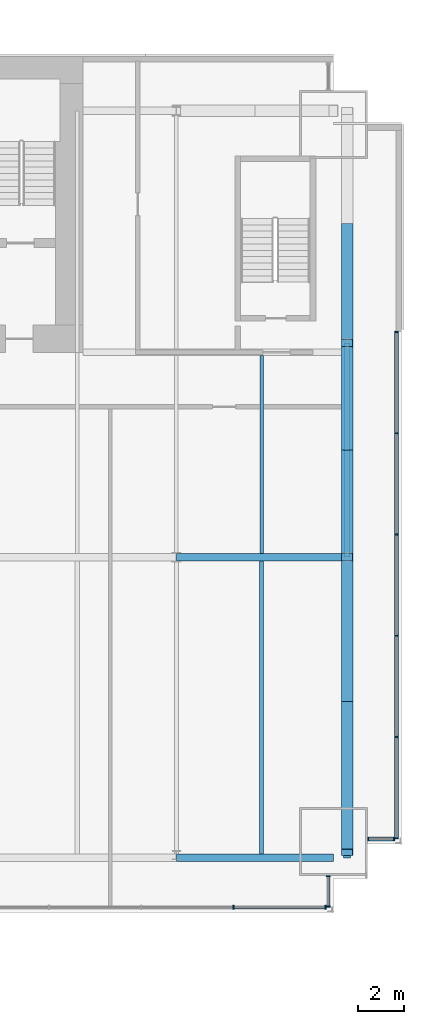
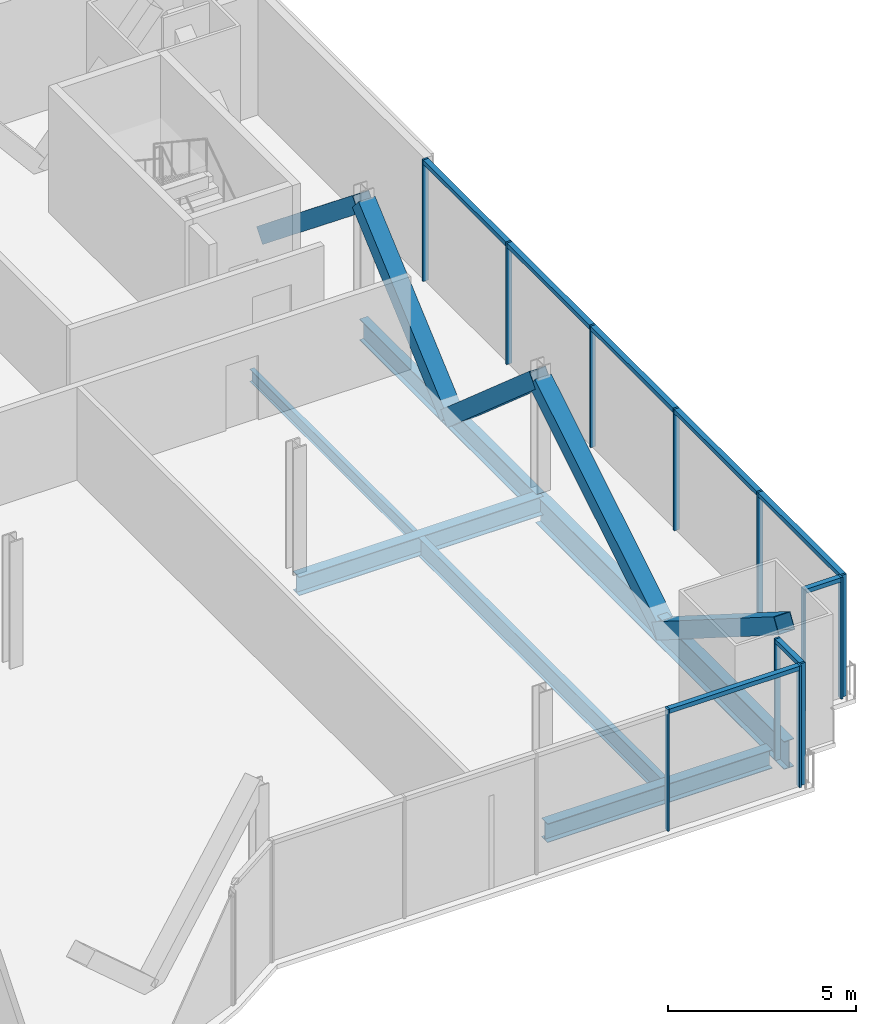
# One storey, part 12 of 21: 25 members, 6 beams, 4 elements without a shape of their own.
"""IFC4 building model written with IfcOpenShell, lengths in metres."""

import ifcopenshell
import ifcopenshell.guid

model = None  # the IFC model being written
_history = None  # IfcOwnerHistory: only IFC2X3 demands one
_inside = {}  # id of a spatial element -> (the spatial element, [elements in it])
_under = {}  # id of a project, library or spatial element -> (it, [spatial elements below it])
_declared = {}  # id of a project -> (the project, [libraries it declares])
_typed = {}  # id of a type object -> (the type object, [elements of that type])
_made_of = {}  # id of a material, layer set ... -> (it, [elements and type objects made of it])


def new_model(schema):
    """Start an empty IFC model of exactly this schema.

    Asked for "IFC4X3", IfcOpenShell would pick the latest addendum, in which some entities
    have other attributes; the version numbers below select the first issue.
    IFC2X3 requires an IfcOwnerHistory on every rooted entity: one is made here for all.
    """
    global model, _history
    if schema == "IFC4X3":
        model = ifcopenshell.file(schema_version=(4, 3, 0, 0))
    else:
        model = ifcopenshell.file(schema=schema)
    _inside.clear()
    _under.clear()
    _declared.clear()
    _typed.clear()
    _made_of.clear()
    _history = None
    if model.schema == "IFC2X3":
        org = make("IfcOrganization", Name="unknown")
        user = make(
            "IfcPersonAndOrganization",
            ThePerson=make("IfcPerson", FamilyName="unknown"),
            TheOrganization=org,
        )
        app = make(
            "IfcApplication",
            ApplicationDeveloper=org,
            Version="unknown",
            ApplicationFullName="unknown",
            ApplicationIdentifier="unknown",
        )
        _history = make(
            "IfcOwnerHistory",
            OwningUser=user,
            OwningApplication=app,
            ChangeAction="ADDED",
            CreationDate=0,
        )
    return model


def make(cls, **values):
    """One entity of the class cls with the attributes given. An attribute that is None is left unset."""
    return model.create_entity(
        cls, **{name: value for name, value in values.items() if value is not None}
    )


def rooted(cls, **values):
    """An entity with a GlobalId (a new one), such as an element, a storey or a relation."""
    return make(cls, GlobalId=ifcopenshell.guid.new(), OwnerHistory=_history, **values)


def si_unit(unit_type, name, prefix=None):
    """IfcSIUnit, for example si_unit("LENGTHUNIT", "METRE", prefix="MILLI")."""
    return make("IfcSIUnit", UnitType=unit_type, Prefix=prefix, Name=name)


def assignment(units):
    """IfcUnitAssignment: the units of a project."""
    return None if units is None else make("IfcUnitAssignment", Units=units)


def point(xyz):
    """IfcCartesianPoint."""
    return None if xyz is None else make("IfcCartesianPoint", Coordinates=xyz)


def direction(xyz):
    """IfcDirection."""
    return None if xyz is None else make("IfcDirection", DirectionRatios=xyz)


def frame(location, z_axis=None, x_axis=None):
    """IfcAxis2Placement3D, a coordinate frame: its origin and axes. An axis left out is left unset."""
    return make(
        "IfcAxis2Placement3D",
        Location=point(location),
        Axis=direction(z_axis),
        RefDirection=direction(x_axis),
    )


def frame_2d(location, x_axis=None):
    """IfcAxis2Placement2D, a coordinate frame in the plane: its origin and x axis."""
    return make(
        "IfcAxis2Placement2D", Location=point(location), RefDirection=direction(x_axis)
    )


def origin():
    """The frame at (0, 0, 0) with its axes left unset."""
    return frame((0.0, 0.0, 0.0))


def origin_2d():
    """The frame at (0, 0) in the plane with its x axis left unset."""
    return frame_2d((0.0, 0.0))


def place(relative_to, where):
    """IfcLocalPlacement: puts the frame where relative to a parent placement (None: the world)."""
    return make(
        "IfcLocalPlacement", PlacementRelTo=relative_to, RelativePlacement=where
    )


def context(
    kind, dimensions, precision=None, world=None, true_north=None, identifier=None
):
    """IfcGeometricRepresentationContext, for example the 3D "Model" context."""
    return make(
        "IfcGeometricRepresentationContext",
        ContextIdentifier=identifier,
        ContextType=kind,
        CoordinateSpaceDimension=dimensions,
        Precision=precision,
        WorldCoordinateSystem=world,
        TrueNorth=true_north,
    )


def subcontext(parent, identifier, kind, view, scale=None):
    """IfcGeometricRepresentationSubContext, for example "Body" below "Model"."""
    return make(
        "IfcGeometricRepresentationSubContext",
        ContextIdentifier=identifier,
        ContextType=kind,
        ParentContext=parent,
        TargetScale=scale,
        TargetView=view,
    )


def project(units=None, contexts=None):
    """IfcProject with its units and contexts."""
    return rooted(
        "IfcProject",
        Name="project",
        RepresentationContexts=contexts,
        UnitsInContext=assignment(units),
    )


def spatial(cls, under=None, at=None, **own):
    """A site, building, storey or space (cls), placed at a placement, below another one or the project."""
    s = rooted(cls, ObjectPlacement=at, **own)
    if under is not None:
        _under.setdefault(under.id(), (under, []))[1].append(s)
    return s


def profile(cls, at=None, kind="AREA", **sizes):
    """A parametric profile (cls). Its sizes go by their IFC names, for example OverallWidth=200.0."""
    return make(cls, ProfileType=kind, Position=at, **sizes)


def rectangle(**sizes):
    """IfcRectangleProfileDef."""
    return profile("IfcRectangleProfileDef", **sizes)


def hollow_rectangle(**sizes):
    """IfcRectangleHollowProfileDef."""
    return profile("IfcRectangleHollowProfileDef", **sizes)


def i_section(**sizes):
    """IfcIShapeProfileDef."""
    return profile("IfcIShapeProfileDef", **sizes)


def extrude(swept, where, along, depth):
    """IfcExtrudedAreaSolid: the profile swept, set in the frame where, extruded along a direction by depth."""
    return make(
        "IfcExtrudedAreaSolid",
        SweptArea=swept,
        Position=where,
        ExtrudedDirection=direction(along),
        Depth=depth,
    )


def shape(context_of_items, identifier, shape_type, items):
    """IfcShapeRepresentation: the items that make up one representation, for example the "Body"."""
    return make(
        "IfcShapeRepresentation",
        ContextOfItems=context_of_items,
        RepresentationIdentifier=identifier,
        RepresentationType=shape_type,
        Items=items,
    )


def material(Name=None, Category=None):
    """IfcMaterial."""
    return make("IfcMaterial", Name=Name, Category=Category)


def material_profile(
    of_material, cross_section, Name=None, Category=None, Priority=None
):
    """IfcMaterialProfile: a cross section and its material."""
    return make(
        "IfcMaterialProfile",
        Name=Name,
        Material=of_material,
        Profile=cross_section,
        Priority=Priority,
        Category=Category,
    )


def profile_set(profiles, Name=None, composite=None):
    """IfcMaterialProfileSet."""
    return make(
        "IfcMaterialProfileSet",
        Name=Name,
        MaterialProfiles=profiles,
        CompositeProfile=composite,
    )


def made_of(thing, what):
    """Note that an element or type object is made of a material, layer set ...; save() writes the relation."""
    if what is not None:
        _made_of.setdefault(what.id(), (what, []))[1].append(thing)
    return thing


def type_object(cls, material=None, **own):
    """A type object (cls), such as IfcWallType, which elements share."""
    return made_of(rooted(cls, **own), material)


def element(
    cls,
    number,
    at=None,
    inside=None,
    cuts=None,
    type_object=None,
    material=None,
    context=None,
    identifier="Body",
    shape_type=None,
    held_by="IfcProductDefinitionShape",
    body=None,
    shapes=None,
    **own,
):
    """One element of the class cls, such as IfcWall. Its Tag is "e" and its number.

    at: its placement. inside: the storey or other place that contains it. cuts: it is an
    opening in that element (IfcRelVoidsElement). A single representation is given by context,
    identifier, shape_type and body (its items); several are given by shapes. held_by: the class
    of the entity that holds the representations. save() writes the other relations.
    """
    e = rooted(cls, Tag="e%d" % number, ObjectPlacement=at, **own)
    if body is not None:
        shapes = [shape(context, identifier, shape_type, body)]
    if shapes is not None:
        e.Representation = make(held_by, Representations=shapes)
    if inside is not None:
        _inside.setdefault(inside.id(), (inside, []))[1].append(e)
    if cuts is not None:
        rooted(
            "IfcRelVoidsElement", RelatingBuildingElement=cuts, RelatedOpeningElement=e
        )
    if type_object is not None:
        _typed.setdefault(type_object.id(), (type_object, []))[1].append(e)
    return made_of(e, material)


def aggregate(whole, parts):
    """IfcRelAggregates: a whole, such as a stair, and the parts it consists of."""
    return rooted("IfcRelAggregates", RelatingObject=whole, RelatedObjects=parts)


def save(model, path):
    """Write the relations noted so far, then the file.

    IfcRelAggregates (storeys below a building ...), IfcRelContainedInSpatialStructure (elements
    in a storey), IfcRelDefinesByType, IfcRelAssociatesMaterial and IfcRelDeclares: one each for
    every whole, place, type object, material and project.
    """
    for whole, parts in _under.values():
        aggregate(whole, parts)
    for where, things in _inside.values():
        rooted(
            "IfcRelContainedInSpatialStructure",
            RelatedElements=things,
            RelatingStructure=where,
        )
    for kind, things in _typed.values():
        rooted("IfcRelDefinesByType", RelatedObjects=things, RelatingType=kind)
    for what, things in _made_of.values():
        rooted("IfcRelAssociatesMaterial", RelatedObjects=things, RelatingMaterial=what)
    for by, libraries in _declared.values():
        rooted("IfcRelDeclares", RelatingContext=by, RelatedDefinitions=libraries)
    model.write(path)


model = new_model("IFC4")

# Units and contexts
model_context = context("Model", 3, precision=1e-05, world=origin(), true_north=direction((0.0, 1.0)))
body_context = subcontext(model_context, "Body", "Model", "MODEL_VIEW")
ifc_project = project(units=[si_unit("LENGTHUNIT", "METRE"), si_unit("AREAUNIT", "SQUARE_METRE"), si_unit("VOLUMEUNIT", "CUBIC_METRE"), si_unit("PLANEANGLEUNIT", "RADIAN"), si_unit("MASSUNIT", "GRAM", prefix="KILO")], contexts=[model_context])

# Site, building, storey
site_placement = place(None, origin())
site = spatial("IfcSite", under=ifc_project, at=site_placement, CompositionType="ELEMENT")
building_placement = place(site_placement, origin())
building = spatial("IfcBuilding", under=site, at=building_placement, Name="Bicima Exchange Tower", CompositionType="ELEMENT")
storey_placement = place(building_placement, frame((0.0, 0.0, 114.5)))
storey = spatial("IfcBuildingStorey", under=building, at=storey_placement, Name="L24", CompositionType="ELEMENT", Elevation=114.5)

# Curtain wall, members
ifc_material_1 = material(Name="Anodised bronze aluminium", Category="aluminium")
curtain_wall_type_1 = type_object("IfcCurtainWallType", Name="End face glass wall", PredefinedType="NOTDEFINED", material=ifc_material_1)
curtain_wall_1_placement = place(storey_placement, origin())
curtain_wall_1 = element("IfcCurtainWall", 1, at=curtain_wall_1_placement, inside=storey, type_object=curtain_wall_type_1, Name="End face glass wall L24 run 19", PredefinedType="NOTDEFINED")
ifc_material_profile_1 = material_profile(ifc_material_1, rectangle(XDim=0.159912109375, YDim=0.06005859375, at=origin_2d()))
ifc_profile_set_1 = profile_set([ifc_material_profile_1], Name="Anodised bronze aluminium")
member_type_1 = type_object("IfcMemberType", Name="End face glass wall mullion 60 x 160", PredefinedType="MULLION", material=ifc_profile_set_1)
member_1_placement = place(storey_placement, frame((35.77001953125, -34.347900390625, 0.0), z_axis=(0.0, 0.0, 1.0), x_axis=(-1.0, 0.0, 0.0)))
member_1 = element("IfcMember", 2, at=member_1_placement, type_object=member_type_1, Name="End face glass wall mullion 1", PredefinedType="MULLION", context=body_context, shape_type="SweptSolid", body=[
    extrude(rectangle(XDim=0.159912109375, YDim=0.06005859375, at=origin_2d()), origin(), (0.0, 0.0, 1.0), 3.949951171875),
])
member_2_placement = place(storey_placement, frame((35.77001953125, -29.900390625, 0.0), z_axis=(0.0, 0.0, 1.0), x_axis=(-1.0, 0.0, 0.0)))
member_2 = element("IfcMember", 3, at=member_2_placement, type_object=member_type_1, Name="End face glass wall mullion 2", PredefinedType="MULLION", context=body_context, shape_type="SweptSolid", body=[
    extrude(rectangle(XDim=0.159912109375, YDim=0.06005859375, at=origin_2d()), origin(), (0.0, 0.0, 1.0), 3.949951171875),
])
member_3_placement = place(storey_placement, frame((35.77001953125, -25.452880859375, 0.0), z_axis=(0.0, 0.0, 1.0), x_axis=(-1.0, 0.0, 0.0)))
member_3 = element("IfcMember", 4, at=member_3_placement, type_object=member_type_1, Name="End face glass wall mullion 3", PredefinedType="MULLION", context=body_context, shape_type="SweptSolid", body=[
    extrude(rectangle(XDim=0.159912109375, YDim=0.06005859375, at=origin_2d()), origin(), (0.0, 0.0, 1.0), 3.949951171875),
])
member_4_placement = place(storey_placement, frame((35.77001953125, -21.005126953125, 0.0), z_axis=(0.0, 0.0, 1.0), x_axis=(-1.0, 0.0, 0.0)))
member_4 = element("IfcMember", 5, at=member_4_placement, type_object=member_type_1, Name="End face glass wall mullion 4", PredefinedType="MULLION", context=body_context, shape_type="SweptSolid", body=[
    extrude(rectangle(XDim=0.159912109375, YDim=0.06005859375, at=origin_2d()), origin(), (0.0, 0.0, 1.0), 3.949951171875),
])
member_5_placement = place(storey_placement, frame((35.77001953125, -16.5576171875, 0.0), z_axis=(0.0, 0.0, 1.0), x_axis=(-1.0, 0.0, 0.0)))
member_5 = element("IfcMember", 6, at=member_5_placement, type_object=member_type_1, Name="End face glass wall mullion 5", PredefinedType="MULLION", context=body_context, shape_type="SweptSolid", body=[
    extrude(rectangle(XDim=0.159912109375, YDim=0.06005859375, at=origin_2d()), origin(), (0.0, 0.0, 1.0), 3.949951171875),
])
member_6_placement = place(storey_placement, frame((35.77001953125, -12.110107421875, 0.0), z_axis=(0.0, 0.0, 1.0), x_axis=(-1.0, 0.0, 0.0)))
member_6 = element("IfcMember", 7, at=member_6_placement, type_object=member_type_1, Name="End face glass wall mullion 6", PredefinedType="MULLION", context=body_context, shape_type="SweptSolid", body=[
    extrude(rectangle(XDim=0.159912109375, YDim=0.06005859375, at=origin_2d()), origin(), (0.0, 0.0, 1.0), 3.949951171875),
])
ifc_material_profile_2 = material_profile(ifc_material_1, rectangle(XDim=0.159912109375, YDim=0.139892578125, at=origin_2d()))
ifc_profile_set_2 = profile_set([ifc_material_profile_2], Name="Anodised bronze aluminium")
member_type_2 = type_object("IfcMemberType", Name="End face glass wall transom 140 x 160", PredefinedType="USERDEFINED", material=ifc_profile_set_2)
member_7_placement = place(storey_placement, frame((35.77001953125, -34.318115234375, 3.8798828125), z_axis=(0.0, 1.0, 0.0), x_axis=(-1.0, 0.0, 0.0)))
member_7 = element("IfcMember", 8, at=member_7_placement, type_object=member_type_2, Name="End face glass wall transom 1.1", ObjectType="TRANSOM", PredefinedType="USERDEFINED", context=body_context, shape_type="SweptSolid", body=[
    extrude(rectangle(XDim=0.159912109375, YDim=0.139892578125, at=origin_2d()), origin(), (0.0, 0.0, 1.0), 4.3876953125),
])
member_8_placement = place(storey_placement, frame((35.77001953125, -29.870361328125, 3.8798828125), z_axis=(0.0, 1.0, 0.0), x_axis=(-1.0, 0.0, 0.0)))
member_8 = element("IfcMember", 9, at=member_8_placement, type_object=member_type_2, Name="End face glass wall transom 2.1", ObjectType="TRANSOM", PredefinedType="USERDEFINED", context=body_context, shape_type="SweptSolid", body=[
    extrude(rectangle(XDim=0.159912109375, YDim=0.139892578125, at=origin_2d()), origin(), (0.0, 0.0, 1.0), 4.387451171875),
])
member_9_placement = place(storey_placement, frame((35.77001953125, -25.4228515625, 3.8798828125), z_axis=(0.0, 1.0, 0.0), x_axis=(-1.0, 0.0, 0.0)))
member_9 = element("IfcMember", 10, at=member_9_placement, type_object=member_type_2, Name="End face glass wall transom 3.1", ObjectType="TRANSOM", PredefinedType="USERDEFINED", context=body_context, shape_type="SweptSolid", body=[
    extrude(rectangle(XDim=0.159912109375, YDim=0.139892578125, at=origin_2d()), origin(), (0.0, 0.0, 1.0), 4.3876953125),
])
member_10_placement = place(storey_placement, frame((35.77001953125, -20.97509765625, 3.8798828125), z_axis=(0.0, 1.0, 0.0), x_axis=(-1.0, 0.0, 0.0)))
member_10 = element("IfcMember", 11, at=member_10_placement, type_object=member_type_2, Name="End face glass wall transom 4.1", ObjectType="TRANSOM", PredefinedType="USERDEFINED", context=body_context, shape_type="SweptSolid", body=[
    extrude(rectangle(XDim=0.159912109375, YDim=0.139892578125, at=origin_2d()), origin(), (0.0, 0.0, 1.0), 4.387451171875),
])
member_11_placement = place(storey_placement, frame((35.77001953125, -16.527587890625, 3.8798828125), z_axis=(0.0, 1.0, 0.0), x_axis=(-1.0, 0.0, 0.0)))
member_11 = element("IfcMember", 12, at=member_11_placement, type_object=member_type_2, Name="End face glass wall transom 5.1", ObjectType="TRANSOM", PredefinedType="USERDEFINED", context=body_context, shape_type="SweptSolid", body=[
    extrude(rectangle(XDim=0.159912109375, YDim=0.139892578125, at=origin_2d()), origin(), (0.0, 0.0, 1.0), 4.3876953125),
])
aggregate(curtain_wall_1, [member_1, member_2, member_3, member_4, member_5, member_6, member_7, member_8, member_9, member_10, member_11])

# Beams
ifc_material_2 = material(Name="Steel ASTM A992 Gr 50", Category="steel")
ifc_material_profile_3 = material_profile(ifc_material_2, i_section(OverallWidth=0.256591796875, OverallDepth=0.693359375, WebThickness=0.014404296875, FlangeThickness=0.023681640625, at=origin_2d()))
ifc_profile_set_3 = profile_set([ifc_material_profile_3], Name="Steel ASTM A992 Gr 50")
beam_type_1 = type_object("IfcBeamType", Name="End girder W27x114", PredefinedType="BEAM", material=ifc_profile_set_3)
beam_1_placement = place(storey_placement, frame((33.60009765625, -12.60009765625, -0.49658203125), z_axis=(0.0, -1.0, 0.0), x_axis=(1.0, 0.0, 0.0)))
element("IfcBeam", 13, at=beam_1_placement, inside=storey, type_object=beam_type_1, Name="End girder", PredefinedType="BEAM", context=body_context, shape_type="SweptSolid", body=[
    extrude(i_section(OverallWidth=0.256591796875, OverallDepth=0.693359375, WebThickness=0.014404296875, FlangeThickness=0.023681640625, at=origin_2d()), origin(), (0.0, 0.0, 1.0), 9.39990234375),
])
ifc_material_profile_4 = material_profile(ifc_material_2, i_section(OverallWidth=0.3046875, OverallDepth=0.911865234375, WebThickness=0.015869140625, FlangeThickness=0.02392578125, at=origin_2d()))
ifc_profile_set_4 = profile_set([ifc_material_profile_4], Name="Steel ASTM A992 Gr 50")
beam_type_2 = type_object("IfcBeamType", Name="End girder W36x150", PredefinedType="BEAM", material=ifc_profile_set_4)
beam_2_placement = place(storey_placement, frame((33.60009765625, -22.0, -0.60595703125), z_axis=(0.0, -1.0, 0.0), x_axis=(1.0, 0.0, 0.0)))
element("IfcBeam", 14, at=beam_2_placement, inside=storey, type_object=beam_type_2, Name="End girder", PredefinedType="BEAM", context=body_context, shape_type="SweptSolid", body=[
    extrude(i_section(OverallWidth=0.3046875, OverallDepth=0.911865234375, WebThickness=0.015869140625, FlangeThickness=0.02392578125, at=origin_2d()), origin(), (0.0, 0.0, 1.0), 13.2080078125),
])
ifc_material_profile_5 = material_profile(ifc_material_2, i_section(OverallWidth=0.140380859375, OverallDepth=0.40380859375, WebThickness=0.007080078125, FlangeThickness=0.01123046875, at=origin_2d()))
ifc_profile_set_5 = profile_set([ifc_material_profile_5], Name="Steel ASTM A992 Gr 50")
beam_type_3 = type_object("IfcBeamType", Name="Floor beam W16x31", PredefinedType="JOIST", material=ifc_profile_set_5)
beam_3_placement = place(storey_placement, frame((29.85009765625, -13.15234375, -0.351806640625), z_axis=(0.0, -1.0, 0.0), x_axis=(1.0, 0.0, 0.0)))
element("IfcBeam", 15, at=beam_3_placement, inside=storey, type_object=beam_type_3, Name="Floor beam", PredefinedType="JOIST", context=body_context, shape_type="SweptSolid", body=[
    extrude(i_section(OverallWidth=0.140380859375, OverallDepth=0.40380859375, WebThickness=0.007080078125, FlangeThickness=0.01123046875, at=origin_2d()), origin(), (0.0, 0.0, 1.0), 8.68505859375),
])
ifc_material_profile_6 = material_profile(ifc_material_2, i_section(OverallWidth=0.177978515625, OverallDepth=0.599365234375, WebThickness=0.010009765625, FlangeThickness=0.012939453125, at=origin_2d()))
ifc_profile_set_6 = profile_set([ifc_material_profile_6], Name="Steel ASTM A992 Gr 50")
beam_type_4 = type_object("IfcBeamType", Name="Floor beam W24x55", PredefinedType="JOIST", material=ifc_profile_set_6)
beam_4_placement = place(storey_placement, frame((29.85009765625, -22.16259765625, -0.44970703125), z_axis=(0.0, -1.0, 0.0), x_axis=(1.0, 0.0, 0.0)))
element("IfcBeam", 16, at=beam_4_placement, inside=storey, type_object=beam_type_4, Name="Floor beam", PredefinedType="JOIST", context=body_context, shape_type="SweptSolid", body=[
    extrude(i_section(OverallWidth=0.177978515625, OverallDepth=0.599365234375, WebThickness=0.010009765625, FlangeThickness=0.012939453125, at=origin_2d()), origin(), (0.0, 0.0, 1.0), 12.8828125),
])
ifc_material_profile_7 = material_profile(ifc_material_2, i_section(OverallWidth=0.3251953125, OverallDepth=0.612060546875, WebThickness=0.0126953125, FlangeThickness=0.01904296875, at=origin_2d()))
ifc_profile_set_7 = profile_set([ifc_material_profile_7], Name="Steel ASTM A992 Gr 50")
beam_type_5 = type_object("IfcBeamType", Name="Front girder W24x104", PredefinedType="BEAM", material=ifc_profile_set_7)
beam_5_placement = place(storey_placement, frame((26.10009765625, -35.2080078125, -0.4560546875), z_axis=(1.0, 0.0, 0.0), x_axis=(0.0, 1.0, 0.0)))
element("IfcBeam", 17, at=beam_5_placement, inside=storey, type_object=beam_type_5, Name="Front girder", PredefinedType="BEAM", context=body_context, shape_type="SweptSolid", body=[
    extrude(i_section(OverallWidth=0.3251953125, OverallDepth=0.612060546875, WebThickness=0.0126953125, FlangeThickness=0.01904296875, at=origin_2d()), origin(), (0.0, 0.0, 1.0), 6.89990234375),
])

# Curtain wall, members
curtain_wall_type_2 = type_object("IfcCurtainWallType", Name="Front glass wall", PredefinedType="NOTDEFINED", material=ifc_material_1)
curtain_wall_2_placement = place(storey_placement, origin())
curtain_wall_2 = element("IfcCurtainWall", 18, at=curtain_wall_2_placement, inside=storey, type_object=curtain_wall_type_2, Name="Front glass wall L24 run 16", PredefinedType="NOTDEFINED")
member_type_3 = type_object("IfcMemberType", Name="Front glass wall mullion 60 x 160", PredefinedType="MULLION", material=ifc_profile_set_1)
member_12_placement = place(storey_placement, frame((28.610595703125, -37.3779296875, 0.0), z_axis=(0.0, 0.0, 1.0), x_axis=(0.0, 1.0, 0.0)))
member_12 = element("IfcMember", 19, at=member_12_placement, type_object=member_type_3, Name="Front glass wall mullion 4", PredefinedType="MULLION", context=body_context, shape_type="SweptSolid", body=[
    extrude(rectangle(XDim=0.159912109375, YDim=0.06005859375, at=origin_2d()), origin(), (0.0, 0.0, 1.0), 3.949951171875),
])
member_13_placement = place(storey_placement, frame((32.659912109375, -37.3779296875, 0.0), z_axis=(0.0, 0.0, 1.0), x_axis=(0.0, 1.0, 0.0)))
member_13 = element("IfcMember", 20, at=member_13_placement, type_object=member_type_3, Name="Front glass wall mullion 5", PredefinedType="MULLION", context=body_context, shape_type="SweptSolid", body=[
    extrude(rectangle(XDim=0.159912109375, YDim=0.06005859375, at=origin_2d()), origin(), (0.0, 0.0, 1.0), 3.949951171875),
])

curtain_wall_3_placement = place(storey_placement, origin())
curtain_wall_3 = element("IfcCurtainWall", 21, at=curtain_wall_3_placement, inside=storey, type_object=curtain_wall_type_2, Name="Front glass wall L24 run 17", PredefinedType="NOTDEFINED")
member_14_placement = place(storey_placement, frame((32.77001953125, -37.347900390625, 0.0), z_axis=(0.0, 0.0, 1.0), x_axis=(-1.0, 0.0, 0.0)))
member_14 = element("IfcMember", 22, at=member_14_placement, type_object=member_type_3, Name="Front glass wall mullion 1", PredefinedType="MULLION", context=body_context, shape_type="SweptSolid", body=[
    extrude(rectangle(XDim=0.159912109375, YDim=0.06005859375, at=origin_2d()), origin(), (0.0, 0.0, 1.0), 3.949951171875),
])
member_15_placement = place(storey_placement, frame((32.77001953125, -36.01611328125, 0.0), z_axis=(0.0, 0.0, 1.0), x_axis=(-1.0, 0.0, 0.0)))
member_15 = element("IfcMember", 23, at=member_15_placement, type_object=member_type_3, Name="Front glass wall mullion 2", PredefinedType="MULLION", context=body_context, shape_type="SweptSolid", body=[
    extrude(rectangle(XDim=0.159912109375, YDim=0.06005859375, at=origin_2d()), origin(), (0.0, 0.0, 1.0), 3.949951171875),
])

curtain_wall_4_placement = place(storey_placement, origin())
curtain_wall_4 = element("IfcCurtainWall", 24, at=curtain_wall_4_placement, inside=storey, type_object=curtain_wall_type_2, Name="Front glass wall L24 run 18", PredefinedType="NOTDEFINED")
member_16_placement = place(storey_placement, frame((34.530029296875, -34.3779296875, 0.0), z_axis=(0.0, 0.0, 1.0), x_axis=(0.0, 1.0, 0.0)))
member_16 = element("IfcMember", 25, at=member_16_placement, type_object=member_type_3, Name="Front glass wall mullion 1", PredefinedType="MULLION", context=body_context, shape_type="SweptSolid", body=[
    extrude(rectangle(XDim=0.159912109375, YDim=0.06005859375, at=origin_2d()), origin(), (0.0, 0.0, 1.0), 3.949951171875),
])
member_17_placement = place(storey_placement, frame((35.659912109375, -34.3779296875, 0.0), z_axis=(0.0, 0.0, 1.0), x_axis=(0.0, 1.0, 0.0)))
member_17 = element("IfcMember", 26, at=member_17_placement, type_object=member_type_3, Name="Front glass wall mullion 2", PredefinedType="MULLION", context=body_context, shape_type="SweptSolid", body=[
    extrude(rectangle(XDim=0.159912109375, YDim=0.06005859375, at=origin_2d()), origin(), (0.0, 0.0, 1.0), 3.949951171875),
])

# Member
member_type_4 = type_object("IfcMemberType", Name="Front glass wall transom 140 x 160", PredefinedType="USERDEFINED", material=ifc_profile_set_2)
member_18_placement = place(storey_placement, frame((28.640380859375, -37.3779296875, 3.8798828125), z_axis=(1.0, 0.0, 0.0), x_axis=(0.0, 1.0, 0.0)))
member_18 = element("IfcMember", 27, at=member_18_placement, type_object=member_type_4, Name="Front glass wall transom 4.1", ObjectType="TRANSOM", PredefinedType="USERDEFINED", context=body_context, shape_type="SweptSolid", body=[
    extrude(rectangle(XDim=0.159912109375, YDim=0.139892578125, at=origin_2d()), origin(), (0.0, 0.0, 1.0), 3.989501953125),
])

aggregate(curtain_wall_2, [member_12, member_13, member_18])

member_19_placement = place(storey_placement, frame((32.77001953125, -37.318115234375, 3.8798828125), z_axis=(0.0, 1.0, 0.0), x_axis=(-1.0, 0.0, 0.0)))
member_19 = element("IfcMember", 28, at=member_19_placement, type_object=member_type_4, Name="Front glass wall transom 1.1", ObjectType="TRANSOM", PredefinedType="USERDEFINED", context=body_context, shape_type="SweptSolid", body=[
    extrude(rectangle(XDim=0.159912109375, YDim=0.139892578125, at=origin_2d()), origin(), (0.0, 0.0, 1.0), 1.272216796875),
])

aggregate(curtain_wall_3, [member_14, member_15, member_19])

member_20_placement = place(storey_placement, frame((34.56005859375, -34.3779296875, 3.8798828125), z_axis=(1.0, 0.0, 0.0), x_axis=(0.0, 1.0, 0.0)))
member_20 = element("IfcMember", 29, at=member_20_placement, type_object=member_type_4, Name="Front glass wall transom 1.1", ObjectType="TRANSOM", PredefinedType="USERDEFINED", context=body_context, shape_type="SweptSolid", body=[
    extrude(rectangle(XDim=0.159912109375, YDim=0.139892578125, at=origin_2d()), origin(), (0.0, 0.0, 1.0), 1.06982421875),
])

aggregate(curtain_wall_4, [member_16, member_17, member_20])

# Members
ifc_material_3 = material(Name="Steel ASTM A572 Gr 50", Category="steel")
ifc_material_profile_8 = material_profile(ifc_material_3, hollow_rectangle(XDim=0.508056640625, YDim=0.508056640625, WallThickness=0.0146484375, at=origin_2d()))
ifc_profile_set_8 = profile_set([ifc_material_profile_8], Name="Steel ASTM A572 Gr 50")
member_type_5 = type_object("IfcMemberType", Name="Mega brace HSS20x20x5/8", PredefinedType="BRACE", material=ifc_profile_set_8)
member_21_placement = place(storey_placement, frame((33.60009765625, -7.5, -0.49658203125), z_axis=(0.0, -0.779392460608, 0.626536026376), x_axis=(1.0, 0.0, 0.0)))
element("IfcMember", 30, at=member_21_placement, inside=storey, type_object=member_type_5, Name="Mega brace east end", PredefinedType="BRACE", context=body_context, shape_type="SweptSolid", body=[
    extrude(hollow_rectangle(XDim=0.508056640625, YDim=0.508056640625, WallThickness=0.0146484375, at=origin_2d()), origin(), (0.0, 0.0, 1.0), 6.543701171875),
])
for number, where, z_axis, x_axis, name in (
    (31, (33.60009765625, -17.300048828125, -0.49658203125), (0.0, -0.753577308711, 0.657359292774), (1.0, 0.0, 0.0), "Mega brace east end"),
    (32, (33.60009765625, -17.300048828125, -0.49658203125), (0.0, 0.753577308711, 0.657359292774), (-1.0, 0.0, 0.0), "Mega brace east end"),
):
    element("IfcMember", number, at=place(storey_placement, frame(where, z_axis=z_axis, x_axis=x_axis)), inside=storey, type_object=member_type_5, Name=name, PredefinedType="BRACE", context=body_context, shape_type="SweptSolid", body=[
        extrude(hollow_rectangle(XDim=0.508056640625, YDim=0.508056640625, WallThickness=0.0146484375, at=origin_2d()), origin(), (0.0, 0.0, 1.0), 6.23681640625),
    ])
member_22_placement = place(storey_placement, frame((33.60009765625, -28.48193359375, -0.60595703125), z_axis=(0.0, -0.845130194489, 0.534560524509), x_axis=(1.0, 0.0, 0.0)))
element("IfcMember", 33, at=member_22_placement, inside=storey, type_object=member_type_5, Name="Mega brace east end", PredefinedType="BRACE", context=body_context, shape_type="SweptSolid", body=[
    extrude(hollow_rectangle(XDim=0.508056640625, YDim=0.508056640625, WallThickness=0.0146484375, at=origin_2d()), origin(), (0.0, 0.0, 1.0), 7.669921875),
])
member_23_placement = place(storey_placement, frame((33.60009765625, -28.72607421875, -0.60595703125), z_axis=(0.0, 0.853862026104, 0.520499414388), x_axis=(-1.0, 0.0, 0.0)))
element("IfcMember", 34, at=member_23_placement, inside=storey, type_object=member_type_5, Name="Mega brace east end", PredefinedType="BRACE", context=body_context, shape_type="SweptSolid", body=[
    extrude(hollow_rectangle(XDim=0.508056640625, YDim=0.508056640625, WallThickness=0.0146484375, at=origin_2d()), origin(), (0.0, 0.0, 1.0), 7.877197265625),
])

# Beam
beam_type_6 = type_object("IfcBeamType", Name="Row girder W24x104", PredefinedType="BEAM", material=ifc_profile_set_7)
beam_6_placement = place(storey_placement, frame((26.10009765625, -22.0, -0.4560546875), z_axis=(1.0, 0.0, 0.0), x_axis=(0.0, 1.0, 0.0)))
element("IfcBeam", 35, at=beam_6_placement, inside=storey, type_object=beam_type_6, Name="Row girder", PredefinedType="BEAM", context=body_context, shape_type="SweptSolid", body=[
    extrude(i_section(OverallWidth=0.3251953125, OverallDepth=0.612060546875, WebThickness=0.0126953125, FlangeThickness=0.01904296875, at=origin_2d()), origin(), (0.0, 0.0, 1.0), 7.5),
])

save(model, "model.ifc")
